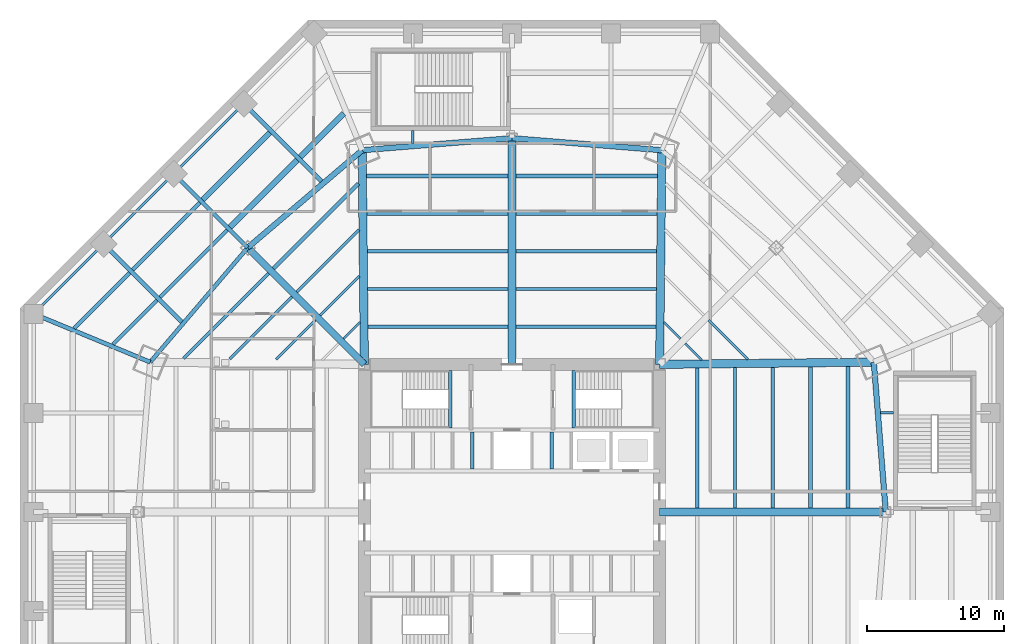
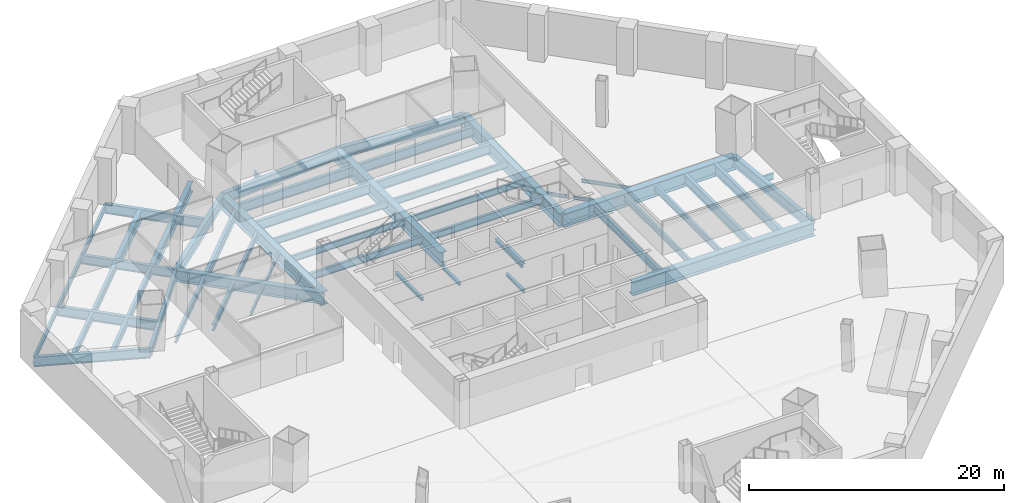
# One storey, part 4 of 15: 57 beams.
"""IFC4 building model written with IfcOpenShell, lengths in metres."""

from ifc_helpers import new_model, si_unit, direction, frame, origin, origin_2d, place, context, subcontext, project, spatial, i_section, extrude, material, material_profile, profile_set, type_object, element, save


model = new_model("IFC4")

# Units and contexts
model_context = context("Model", 3, precision=1e-05, world=origin(), true_north=direction((0.0, 1.0)))
body_context = subcontext(model_context, "Body", "Model", "MODEL_VIEW")
ifc_project = project(units=[si_unit("LENGTHUNIT", "METRE"), si_unit("AREAUNIT", "SQUARE_METRE"), si_unit("VOLUMEUNIT", "CUBIC_METRE"), si_unit("PLANEANGLEUNIT", "RADIAN"), si_unit("MASSUNIT", "GRAM", prefix="KILO")], contexts=[model_context])

# Site, building, storey
site_placement = place(None, origin())
site = spatial("IfcSite", under=ifc_project, at=site_placement, CompositionType="ELEMENT")
building_placement = place(site_placement, origin())
building = spatial("IfcBuilding", under=site, at=building_placement, Name="Mashrafa Tower", CompositionType="ELEMENT")
storey_placement = place(building_placement, frame((0.0, 0.0, -4.5)))
storey = spatial("IfcBuildingStorey", under=building, at=storey_placement, Name="B1", CompositionType="ELEMENT", Elevation=-4.5)

# Beams
ifc_material_1 = material(Name="Steel ASTM A572 Gr 50", Category="steel")
ifc_material_profile_1 = material_profile(ifc_material_1, i_section(OverallWidth=0.5, OverallDepth=1.10009765625, WebThickness=0.02490234375, FlangeThickness=0.050048828125, at=origin_2d()), Name="H1100X500X25X50")
ifc_profile_set_1 = profile_set([ifc_material_profile_1], Name="Steel ASTM A572 Gr 50")
beam_type_1 = type_object("IfcBeamType", Name="Beam H1100X500X25X50", PredefinedType="BEAM", material=ifc_profile_set_1)
beam_1_placement = place(storey_placement, frame((-10.800048828125, 10.800048828125, -0.85009765625), z_axis=(-0.707106781187, 0.707106781187, 0.0), x_axis=(-0.707106781187, -0.707106781187, 0.0)))
element("IfcBeam", 1, at=beam_1_placement, inside=storey, type_object=beam_type_1, Name="Radial girder B1 198", PredefinedType="BEAM", context=body_context, shape_type="SweptSolid", body=[
    extrude(i_section(OverallWidth=0.5, OverallDepth=1.10009765625, WebThickness=0.02490234375, FlangeThickness=0.050048828125, at=origin_2d()), origin(), (0.0, 0.0, 1.0), 12.07666015625),
])
ifc_material_2 = material(Name="Steel ASTM A572 Gr 50", Category="steel")
ifc_material_profile_2 = material_profile(ifc_material_2, i_section(OverallWidth=0.60009765625, OverallDepth=1.300048828125, WebThickness=0.028076171875, FlangeThickness=0.06494140625, at=origin_2d()), Name="H1300X600X28X65")
ifc_profile_set_2 = profile_set([ifc_material_profile_2], Name="Steel ASTM A572 Gr 50")
beam_type_2 = type_object("IfcBeamType", Name="Beam H1300X600X28X65", PredefinedType="BEAM", material=ifc_profile_set_2)
beam_2_placement = place(storey_placement, frame((-10.800048828125, 10.800048828125, -0.949951171875), z_axis=(-0.010529995346, 0.999944558062, 0.0), x_axis=(-0.999944558062, -0.010529995346, 0.0)))
element("IfcBeam", 2, at=beam_2_placement, inside=storey, type_object=beam_type_2, Name="Radial girder B1 199", PredefinedType="BEAM", context=body_context, shape_type="SweptSolid", body=[
    extrude(i_section(OverallWidth=0.60009765625, OverallDepth=1.300048828125, WebThickness=0.028076171875, FlangeThickness=0.06494140625, at=origin_2d()), origin(), (0.0, 0.0, 1.0), 15.67333984375),
])
for number, where, z_axis, x_axis, name in (
    (3, (0.0, 10.800048828125, -0.949951171875), (0.0, 1.0, 0.0), (-1.0, 0.0, 0.0), "Radial girder B1 201"),
    (4, (10.800048828125, 0.0, -0.949951171875), (1.0, 0.0, 0.0), (0.0, 1.0, 0.0), "Radial girder B1 205"),
):
    element("IfcBeam", number, at=place(storey_placement, frame(where, z_axis=z_axis, x_axis=x_axis)), inside=storey, type_object=beam_type_2, Name=name, PredefinedType="BEAM", context=body_context, shape_type="SweptSolid", body=[
        extrude(i_section(OverallWidth=0.60009765625, OverallDepth=1.300048828125, WebThickness=0.028076171875, FlangeThickness=0.06494140625, at=origin_2d()), origin(), (0.0, 0.0, 1.0), 16.550537109375),
    ])
for number, where, z_axis, x_axis, name in (
    (5, (10.800048828125, 10.800048828125, -0.949951171875), (0.010529995346, 0.999944558062, 0.0), (-0.999944558062, 0.010529995346, 0.0), "Radial girder B1 206"),
    (6, (10.800048828125, 10.800048828125, -0.949951171875), (0.999944558062, 0.010529995346, 0.0), (-0.010529995346, 0.999944558062, 0.0), "Radial girder B1 208"),
):
    element("IfcBeam", number, at=place(storey_placement, frame(where, z_axis=z_axis, x_axis=x_axis)), inside=storey, type_object=beam_type_2, Name=name, PredefinedType="BEAM", context=body_context, shape_type="SweptSolid", body=[
        extrude(i_section(OverallWidth=0.60009765625, OverallDepth=1.300048828125, WebThickness=0.028076171875, FlangeThickness=0.06494140625, at=origin_2d()), origin(), (0.0, 0.0, 1.0), 15.67333984375),
    ])
ifc_material_3 = material(Name="Steel ASTM A992", Category="steel")
ifc_material_profile_3 = material_profile(ifc_material_3, i_section(OverallWidth=0.164794921875, OverallDepth=0.309814453125, WebThickness=0.005859375, FlangeThickness=0.009765625, FilletRadius=0.007568359375, at=origin_2d()), Name="W12X26")
ifc_profile_set_3 = profile_set([ifc_material_profile_3], Name="Steel ASTM A992")
beam_type_3 = type_object("IfcBeamType", Name="Beam W12X26", PredefinedType="BEAM", material=ifc_profile_set_3)
for number, where, z_axis, x_axis, name in (
    (7, (-17.263671875, 11.168212890625, -0.454833984375), (0.707136845889, 0.707076715205, 0.0), (-0.707076715205, 0.707136845889, 0.0), "Floor beam B1 021"),
    (8, (-14.0390625, 14.392578125, -0.454833984375), (0.707076715205, 0.707136845889, 0.0), (-0.707136845889, 0.707076715205, 0.0), "Floor beam B1 027"),
):
    element("IfcBeam", number, at=place(storey_placement, frame(where, z_axis=z_axis, x_axis=x_axis)), inside=storey, type_object=beam_type_3, Name=name, PredefinedType="BEAM", context=body_context, shape_type="SweptSolid", body=[
        extrude(i_section(OverallWidth=0.164794921875, OverallDepth=0.309814453125, WebThickness=0.005859375, FlangeThickness=0.009765625, FilletRadius=0.007568359375, at=origin_2d()), origin(), (0.0, 0.0, 1.0), 4.06005859375),
    ])
for number, where, z_axis, x_axis, name in (
    (9, (-12.3310546875, 12.684814453125, -0.454833984375), (0.707106781187, 0.707106781187, 0.0), (-0.707106781187, 0.707106781187, 0.0), "Floor beam B1 034"),
    (10, (11.132568359375, 13.88330078125, -0.454833984375), (0.707106781187, -0.707106781187, 0.0), (0.707106781187, 0.707106781187, 0.0), "Floor beam B1 061"),
    (11, (12.684814453125, 12.3310546875, -0.454833984375), (0.707106781187, -0.707106781187, 0.0), (0.707106781187, 0.707106781187, 0.0), "Floor beam B1 072"),
):
    element("IfcBeam", number, at=place(storey_placement, frame(where, z_axis=z_axis, x_axis=x_axis)), inside=storey, type_object=beam_type_3, Name=name, PredefinedType="BEAM", context=body_context, shape_type="SweptSolid", body=[
        extrude(i_section(OverallWidth=0.164794921875, OverallDepth=0.309814453125, WebThickness=0.005859375, FlangeThickness=0.009765625, FilletRadius=0.007568359375, at=origin_2d()), origin(), (0.0, 0.0, 1.0), 1.69482421875),
    ])
beam_3_placement = place(storey_placement, frame((14.392578125, 14.0390625, -0.454833984375), z_axis=(0.707136845889, -0.707076715205, 0.0), x_axis=(0.707076715205, 0.707136845889, 0.0)))
element("IfcBeam", 12, at=beam_3_placement, inside=storey, type_object=beam_type_3, Name="Floor beam B1 079", PredefinedType="BEAM", context=body_context, shape_type="SweptSolid", body=[
    extrude(i_section(OverallWidth=0.164794921875, OverallDepth=0.309814453125, WebThickness=0.005859375, FlangeThickness=0.009765625, FilletRadius=0.007568359375, at=origin_2d()), origin(), (0.0, 0.0, 1.0), 4.06005859375),
])
ifc_material_4 = material(Name="Steel ASTM A992", Category="steel")
ifc_material_profile_4 = material_profile(ifc_material_4, i_section(OverallWidth=0.177978515625, OverallDepth=0.599365234375, WebThickness=0.010009765625, FlangeThickness=0.012939453125, FilletRadius=0.012939453125, at=origin_2d()), Name="W24X55")
ifc_profile_set_4 = profile_set([ifc_material_profile_4], Name="Steel ASTM A992")
beam_type_4 = type_object("IfcBeamType", Name="Beam W24X55", PredefinedType="BEAM", material=ifc_profile_set_4)
beam_4_placement = place(storey_placement, frame((-29.87451171875, 19.623046875, -0.599609375), z_axis=(-0.707106781187, -0.707106781187, 0.0), x_axis=(0.707106781187, -0.707106781187, 0.0)))
element("IfcBeam", 13, at=beam_4_placement, inside=storey, type_object=beam_type_4, Name="Podium edge beam B1 111", PredefinedType="BEAM", context=body_context, shape_type="SweptSolid", body=[
    extrude(i_section(OverallWidth=0.177978515625, OverallDepth=0.599365234375, WebThickness=0.010009765625, FlangeThickness=0.012939453125, FilletRadius=0.012939453125, at=origin_2d()), origin(), (0.0, 0.0, 1.0), 7.24853515625),
])
for number, where, z_axis, x_axis, name in (
    (14, (-24.748779296875, 24.748779296875, -0.599609375), (-0.707106781187, -0.707106781187, 0.0), (0.707106781187, -0.707106781187, 0.0), "Podium edge beam B1 113"),
    (15, (-19.623046875, 29.87451171875, -0.599609375), (-0.707106781187, -0.707106781187, 0.0), (0.707106781187, -0.707106781187, 0.0), "Podium edge beam B1 115"),
):
    element("IfcBeam", number, at=place(storey_placement, frame(where, z_axis=z_axis, x_axis=x_axis)), inside=storey, type_object=beam_type_4, Name=name, PredefinedType="BEAM", context=body_context, shape_type="SweptSolid", body=[
        extrude(i_section(OverallWidth=0.177978515625, OverallDepth=0.599365234375, WebThickness=0.010009765625, FlangeThickness=0.012939453125, FilletRadius=0.012939453125, at=origin_2d()), origin(), (0.0, 0.0, 1.0), 7.248779296875),
    ])
for number, where, z_axis, x_axis, name in (
    (16, (-7.248779296875, 26.97119140625, -0.599609375), (0.0, 1.0, 0.0), (-1.0, 0.0, 0.0), "Podium radial beam B1 153"),
    (17, (26.97119140625, 7.248779296875, -0.599609375), (1.0, 0.0, 0.0), (0.0, 1.0, 0.0), "Podium radial beam B1 173"),
):
    element("IfcBeam", number, at=place(storey_placement, frame(where, z_axis=z_axis, x_axis=x_axis)), inside=storey, type_object=beam_type_4, Name=name, PredefinedType="BEAM", context=body_context, shape_type="SweptSolid", body=[
        extrude(i_section(OverallWidth=0.177978515625, OverallDepth=0.599365234375, WebThickness=0.010009765625, FlangeThickness=0.012939453125, FilletRadius=0.012939453125, at=origin_2d()), origin(), (0.0, 0.0, 1.0), 0.9287109375),
    ])
ifc_material_5 = material(Name="Steel ASTM A992", Category="steel")
ifc_material_profile_5 = material_profile(ifc_material_5, i_section(OverallWidth=0.227783203125, OverallDepth=0.60205078125, WebThickness=0.010498046875, FlangeThickness=0.014892578125, FilletRadius=0.012939453125, at=origin_2d()), Name="W24X68")
ifc_profile_set_5 = profile_set([ifc_material_profile_5], Name="Steel ASTM A992")
beam_type_5 = type_object("IfcBeamType", Name="Beam W24X68", PredefinedType="BEAM", material=ifc_profile_set_5)
beam_5_placement = place(storey_placement, frame((-24.024169921875, 11.239501953125, -0.60107421875), z_axis=(0.707106781187, 0.707106781187, 0.0), x_axis=(-0.707106781187, 0.707106781187, 0.0)))
element("IfcBeam", 18, at=beam_5_placement, inside=storey, type_object=beam_type_5, Name="Floor beam B1 009", PredefinedType="BEAM", context=body_context, shape_type="SweptSolid", body=[
    extrude(i_section(OverallWidth=0.227783203125, OverallDepth=0.60205078125, WebThickness=0.010498046875, FlangeThickness=0.014892578125, FilletRadius=0.012939453125, at=origin_2d()), origin(), (0.0, 0.0, 1.0), 8.7900390625),
])
ifc_material_6 = material(Name="Steel ASTM A992", Category="steel")
ifc_material_profile_6 = material_profile(ifc_material_6, i_section(OverallWidth=0.228271484375, OverallDepth=0.607177734375, WebThickness=0.01123046875, FlangeThickness=0.017333984375, FilletRadius=0.0126953125, at=origin_2d()), Name="W24X76")
ifc_profile_set_6 = profile_set([ifc_material_profile_6], Name="Steel ASTM A992")
beam_type_6 = type_object("IfcBeamType", Name="Beam W24X76", PredefinedType="BEAM", material=ifc_profile_set_6)
for number, where, z_axis, x_axis, name in (
    (19, (-20.643798828125, 11.203857421875, -0.603515625), (0.707106781187, 0.707106781187, 0.0), (-0.707106781187, 0.707106781187, 0.0), "Floor beam B1 014"),
    (20, (-15.7470703125, 16.1005859375, -0.603515625), (0.707106781187, 0.707106781187, 0.0), (-0.707106781187, 0.707106781187, 0.0), "Floor beam B1 025"),
):
    element("IfcBeam", number, at=place(storey_placement, frame(where, z_axis=z_axis, x_axis=x_axis)), inside=storey, type_object=beam_type_6, Name=name, PredefinedType="BEAM", context=body_context, shape_type="SweptSolid", body=[
        extrude(i_section(OverallWidth=0.228271484375, OverallDepth=0.607177734375, WebThickness=0.01123046875, FlangeThickness=0.017333984375, FilletRadius=0.0126953125, at=origin_2d()), origin(), (0.0, 0.0, 1.0), 6.425048828125),
    ])
beam_6_placement = place(storey_placement, frame((-10.587158203125, 19.0751953125, -0.603515625), z_axis=(1.0, 0.0, 0.0), x_axis=(0.0, 1.0, 0.0)))
element("IfcBeam", 21, at=beam_6_placement, inside=storey, type_object=beam_type_6, Name="Floor beam B1 041", PredefinedType="BEAM", context=body_context, shape_type="SweptSolid", body=[
    extrude(i_section(OverallWidth=0.228271484375, OverallDepth=0.607177734375, WebThickness=0.01123046875, FlangeThickness=0.017333984375, FilletRadius=0.0126953125, at=origin_2d()), origin(), (0.0, 0.0, 1.0), 10.287109375),
])
for number, where, z_axis, x_axis, name in (
    (22, (-10.55810546875, 16.31689453125, -0.603515625), (1.0, 0.0, 0.0), (0.0, 1.0, 0.0), "Floor beam B1 043"),
    (23, (0.300048828125, 16.31689453125, -0.603515625), (1.0, 0.0, 0.0), (0.0, 1.0, 0.0), "Floor beam B1 054"),
):
    element("IfcBeam", number, at=place(storey_placement, frame(where, z_axis=z_axis, x_axis=x_axis)), inside=storey, type_object=beam_type_6, Name=name, PredefinedType="BEAM", context=body_context, shape_type="SweptSolid", body=[
        extrude(i_section(OverallWidth=0.228271484375, OverallDepth=0.607177734375, WebThickness=0.01123046875, FlangeThickness=0.017333984375, FilletRadius=0.0126953125, at=origin_2d()), origin(), (0.0, 0.0, 1.0), 10.258056640625),
    ])
beam_7_placement = place(storey_placement, frame((0.300048828125, 19.0751953125, -0.603515625), z_axis=(1.0, 0.0, 0.0), x_axis=(0.0, 1.0, 0.0)))
element("IfcBeam", 24, at=beam_7_placement, inside=storey, type_object=beam_type_6, Name="Floor beam B1 055", PredefinedType="BEAM", context=body_context, shape_type="SweptSolid", body=[
    extrude(i_section(OverallWidth=0.228271484375, OverallDepth=0.607177734375, WebThickness=0.01123046875, FlangeThickness=0.017333984375, FilletRadius=0.0126953125, at=origin_2d()), origin(), (0.0, 0.0, 1.0), 10.287109375),
])
beam_8_placement = place(storey_placement, frame((16.31689453125, 10.55810546875, -0.603515625), z_axis=(0.0, -1.0, 0.0), x_axis=(1.0, 0.0, 0.0)))
element("IfcBeam", 25, at=beam_8_placement, inside=storey, type_object=beam_type_6, Name="Floor beam B1 083", PredefinedType="BEAM", context=body_context, shape_type="SweptSolid", body=[
    extrude(i_section(OverallWidth=0.228271484375, OverallDepth=0.607177734375, WebThickness=0.01123046875, FlangeThickness=0.017333984375, FilletRadius=0.0126953125, at=origin_2d()), origin(), (0.0, 0.0, 1.0), 10.258056640625),
])
beam_9_placement = place(storey_placement, frame((19.0751953125, 10.587158203125, -0.603515625), z_axis=(0.0, -1.0, 0.0), x_axis=(1.0, 0.0, 0.0)))
element("IfcBeam", 26, at=beam_9_placement, inside=storey, type_object=beam_type_6, Name="Floor beam B1 088", PredefinedType="BEAM", context=body_context, shape_type="SweptSolid", body=[
    extrude(i_section(OverallWidth=0.228271484375, OverallDepth=0.607177734375, WebThickness=0.01123046875, FlangeThickness=0.017333984375, FilletRadius=0.0126953125, at=origin_2d()), origin(), (0.0, 0.0, 1.0), 10.287109375),
])
ifc_material_7 = material(Name="Steel ASTM A992", Category="steel")
ifc_material_profile_7 = material_profile(ifc_material_7, i_section(OverallWidth=0.25390625, OverallDepth=0.683349609375, WebThickness=0.012451171875, FlangeThickness=0.01904296875, FilletRadius=0.01513671875, at=origin_2d()), Name="W27X94")
ifc_profile_set_7 = profile_set([ifc_material_profile_7], Name="Steel ASTM A992")
beam_type_7 = type_object("IfcBeamType", Name="Beam W27X94", PredefinedType="BEAM", material=ifc_profile_set_7)
for number, where, z_axis, x_axis, name in (
    (27, (-10.529052734375, 13.558349609375, -0.6416015625), (1.0, 0.0, 0.0), (0.0, 1.0, 0.0), "Floor beam B1 045"),
    (28, (0.300048828125, 13.558349609375, -0.6416015625), (1.0, 0.0, 0.0), (0.0, 1.0, 0.0), "Floor beam B1 053"),
    (29, (13.558349609375, 10.529052734375, -0.6416015625), (0.0, -1.0, 0.0), (1.0, 0.0, 0.0), "Floor beam B1 076"),
):
    element("IfcBeam", number, at=place(storey_placement, frame(where, z_axis=z_axis, x_axis=x_axis)), inside=storey, type_object=beam_type_7, Name=name, PredefinedType="BEAM", context=body_context, shape_type="SweptSolid", body=[
        extrude(i_section(OverallWidth=0.25390625, OverallDepth=0.683349609375, WebThickness=0.012451171875, FlangeThickness=0.01904296875, FilletRadius=0.01513671875, at=origin_2d()), origin(), (0.0, 0.0, 1.0), 10.22900390625),
    ])
ifc_material_8 = material(Name="Steel ASTM A992", Category="steel")
ifc_material_profile_8 = material_profile(ifc_material_8, i_section(OverallWidth=0.2666015625, OverallDepth=0.75439453125, WebThickness=0.01318359375, FlangeThickness=0.01708984375, FilletRadius=0.0166015625, at=origin_2d()), Name="W30X99")
ifc_profile_set_8 = profile_set([ifc_material_profile_8], Name="Steel ASTM A992")
beam_type_8 = type_object("IfcBeamType", Name="Beam W30X99", PredefinedType="BEAM", material=ifc_profile_set_8)
beam_10_placement = place(storey_placement, frame((-32.039794921875, 13.437744140625, -0.67724609375), z_axis=(0.707106781187, 0.707106781187, 0.0), x_axis=(-0.707106781187, 0.707106781187, 0.0)))
element("IfcBeam", 30, at=beam_10_placement, inside=storey, type_object=beam_type_8, Name="Floor beam B1 003 part 1", PredefinedType="BEAM", context=body_context, shape_type="SweptSolid", body=[
    extrude(i_section(OverallWidth=0.2666015625, OverallDepth=0.75439453125, WebThickness=0.01318359375, FlangeThickness=0.01708984375, FilletRadius=0.0166015625, at=origin_2d()), origin(), (0.0, 0.0, 1.0), 5.751220703125),
])
beam_11_placement = place(storey_placement, frame((-27.755615234375, 17.7216796875, -0.67724609375), z_axis=(0.707089214407, 0.707124347529, 0.0), x_axis=(-0.707124347529, 0.707089214407, 0.0)))
element("IfcBeam", 31, at=beam_11_placement, inside=storey, type_object=beam_type_8, Name="Floor beam B1 003 part 2", PredefinedType="BEAM", context=body_context, shape_type="SweptSolid", body=[
    extrude(i_section(OverallWidth=0.2666015625, OverallDepth=0.75439453125, WebThickness=0.01318359375, FlangeThickness=0.01708984375, FilletRadius=0.0166015625, at=origin_2d()), origin(), (0.0, 0.0, 1.0), 6.948974609375),
])
beam_12_placement = place(storey_placement, frame((-29.197265625, 12.26025390625, -0.67724609375), z_axis=(0.707106781187, 0.707106781187, 0.0), x_axis=(-0.707106781187, 0.707106781187, 0.0)))
element("IfcBeam", 32, at=beam_12_placement, inside=storey, type_object=beam_type_8, Name="Floor beam B1 006 part 1", PredefinedType="BEAM", context=body_context, shape_type="SweptSolid", body=[
    extrude(i_section(OverallWidth=0.2666015625, OverallDepth=0.75439453125, WebThickness=0.01318359375, FlangeThickness=0.01708984375, FilletRadius=0.0166015625, at=origin_2d()), origin(), (0.0, 0.0, 1.0), 4.57373046875),
])
beam_13_placement = place(storey_placement, frame((-25.74560546875, 15.7119140625, -0.67724609375), z_axis=(0.707106781187, 0.707106781187, 0.0), x_axis=(-0.707106781187, 0.707106781187, 0.0)))
element("IfcBeam", 33, at=beam_13_placement, inside=storey, type_object=beam_type_8, Name="Floor beam B1 006 part 2", PredefinedType="BEAM", context=body_context, shape_type="SweptSolid", body=[
    extrude(i_section(OverallWidth=0.2666015625, OverallDepth=0.75439453125, WebThickness=0.01318359375, FlangeThickness=0.01708984375, FilletRadius=0.0166015625, at=origin_2d()), origin(), (0.0, 0.0, 1.0), 6.94873046875),
])
ifc_material_9 = material(Name="Steel ASTM A992", Category="steel")
ifc_material_profile_9 = material_profile(ifc_material_9, i_section(OverallWidth=0.2919921875, OverallDepth=0.8408203125, WebThickness=0.0146484375, FlangeThickness=0.021728515625, FilletRadius=0.017333984375, at=origin_2d()), Name="W33X130")
ifc_profile_set_9 = profile_set([ifc_material_profile_9], Name="Steel ASTM A992")
beam_type_9 = type_object("IfcBeamType", Name="Beam W33X130", PredefinedType="BEAM", material=ifc_profile_set_9)
beam_14_placement = place(storey_placement, frame((-19.339599609375, 19.339599609375, -0.720458984375), z_axis=(-0.648412151633, -0.76128948608, 0.0), x_axis=(0.76128948608, -0.648412151633, 0.0)))
element("IfcBeam", 34, at=beam_14_placement, inside=storey, type_object=beam_type_9, Name="Podium ring girder B1 181", PredefinedType="BEAM", context=body_context, shape_type="SweptSolid", body=[
    extrude(i_section(OverallWidth=0.2919921875, OverallDepth=0.8408203125, WebThickness=0.0146484375, FlangeThickness=0.021728515625, FilletRadius=0.017333984375, at=origin_2d()), origin(), (0.0, 0.0, 1.0), 11.00048828125),
])
ifc_material_10 = material(Name="Steel ASTM A992", Category="steel")
ifc_material_profile_10 = material_profile(ifc_material_10, i_section(OverallWidth=0.2919921875, OverallDepth=0.845703125, WebThickness=0.015380859375, FlangeThickness=0.0244140625, FilletRadius=0.017333984375, at=origin_2d()), Name="W33X141")
ifc_profile_set_10 = profile_set([ifc_material_profile_10], Name="Steel ASTM A992")
beam_type_10 = type_object("IfcBeamType", Name="Beam W33X141", PredefinedType="BEAM", material=ifc_profile_set_10)
beam_15_placement = place(storey_placement, frame((-17.455078125, 17.80859375, -0.722900390625), z_axis=(0.707106781187, 0.707106781187, 0.0), x_axis=(-0.707106781187, 0.707106781187, 0.0)))
element("IfcBeam", 35, at=beam_15_placement, inside=storey, type_object=beam_type_10, Name="Floor beam B1 020", PredefinedType="BEAM", context=body_context, shape_type="SweptSolid", body=[
    extrude(i_section(OverallWidth=0.2919921875, OverallDepth=0.845703125, WebThickness=0.015380859375, FlangeThickness=0.0244140625, FilletRadius=0.017333984375, at=origin_2d()), origin(), (0.0, 0.0, 1.0), 8.7900390625),
])
ifc_material_11 = material(Name="Steel ASTM A992", Category="steel")
ifc_material_profile_11 = material_profile(ifc_material_11, i_section(OverallWidth=0.2919921875, OverallDepth=0.8583984375, WebThickness=0.01708984375, FlangeThickness=0.031005859375, FilletRadius=0.017822265625, at=origin_2d()), Name="W33X169")
ifc_profile_set_11 = profile_set([ifc_material_profile_11], Name="Steel ASTM A992")
beam_type_11 = type_object("IfcBeamType", Name="Beam W33X169", PredefinedType="BEAM", material=ifc_profile_set_11)
beam_16_placement = place(storey_placement, frame((-19.339599609375, 19.339599609375, -0.729248046875), z_axis=(-0.707106781187, 0.707106781187, 0.0), x_axis=(-0.707106781187, -0.707106781187, 0.0)))
element("IfcBeam", 36, at=beam_16_placement, inside=storey, type_object=beam_type_11, Name="Podium radial beam B1 147", PredefinedType="BEAM", context=body_context, shape_type="SweptSolid", body=[
    extrude(i_section(OverallWidth=0.2919921875, OverallDepth=0.8583984375, WebThickness=0.01708984375, FlangeThickness=0.031005859375, FilletRadius=0.017822265625, at=origin_2d()), origin(), (0.0, 0.0, 1.0), 7.649658203125),
])
ifc_material_12 = material(Name="Steel ASTM A992", Category="steel")
ifc_material_profile_12 = material_profile(ifc_material_12, i_section(OverallWidth=0.3046875, OverallDepth=0.911865234375, WebThickness=0.015869140625, FlangeThickness=0.02392578125, FilletRadius=0.01904296875, at=origin_2d()), Name="W36X150")
ifc_profile_set_12 = profile_set([ifc_material_profile_12], Name="Steel ASTM A992")
beam_type_12 = type_object("IfcBeamType", Name="Beam W36X150", PredefinedType="BEAM", material=ifc_profile_set_12)
for number, where, z_axis, x_axis, name in (
    (37, (-10.6162109375, 21.833740234375, -0.755859375), (1.0, 0.0, 0.0), (0.0, 1.0, 0.0), "Floor beam B1 039"),
    (38, (0.300048828125, 21.833740234375, -0.755859375), (1.0, 0.0, 0.0), (0.0, 1.0, 0.0), "Floor beam B1 056"),
    (39, (21.833740234375, 10.6162109375, -0.755859375), (0.0, -1.0, 0.0), (1.0, 0.0, 0.0), "Floor beam B1 093"),
):
    element("IfcBeam", number, at=place(storey_placement, frame(where, z_axis=z_axis, x_axis=x_axis)), inside=storey, type_object=beam_type_12, Name=name, PredefinedType="BEAM", context=body_context, shape_type="SweptSolid", body=[
        extrude(i_section(OverallWidth=0.3046875, OverallDepth=0.911865234375, WebThickness=0.015869140625, FlangeThickness=0.02392578125, FilletRadius=0.01904296875, at=origin_2d()), origin(), (0.0, 0.0, 1.0), 10.316162109375),
    ])
ifc_material_13 = material(Name="Steel ASTM A992", Category="steel")
ifc_material_profile_13 = material_profile(ifc_material_13, i_section(OverallWidth=0.307373046875, OverallDepth=0.927001953125, WebThickness=0.01953125, FlangeThickness=0.031982421875, FilletRadius=0.01904296875, at=origin_2d()), Name="W36X194")
ifc_profile_set_13 = profile_set([ifc_material_profile_13], Name="Steel ASTM A992")
beam_type_13 = type_object("IfcBeamType", Name="Beam W36X194", PredefinedType="BEAM", material=ifc_profile_set_13)
for number, where, z_axis, x_axis, name in (
    (40, (-10.6455078125, 24.592041015625, -0.763671875), (1.0, 0.0, 0.0), (0.0, 1.0, 0.0), "Floor beam B1 037"),
    (41, (0.300048828125, 24.592041015625, -0.763671875), (1.0, 0.0, 0.0), (0.0, 1.0, 0.0), "Floor beam B1 057"),
    (42, (24.592041015625, 10.6455078125, -0.763671875), (0.0, -1.0, 0.0), (1.0, 0.0, 0.0), "Floor beam B1 098"),
):
    element("IfcBeam", number, at=place(storey_placement, frame(where, z_axis=z_axis, x_axis=x_axis)), inside=storey, type_object=beam_type_13, Name=name, PredefinedType="BEAM", context=body_context, shape_type="SweptSolid", body=[
        extrude(i_section(OverallWidth=0.307373046875, OverallDepth=0.927001953125, WebThickness=0.01953125, FlangeThickness=0.031982421875, FilletRadius=0.01904296875, at=origin_2d()), origin(), (0.0, 0.0, 1.0), 10.345458984375),
    ])
beam_17_placement = place(storey_placement, frame((-26.472412109375, 10.965087890625, -0.763671875), z_axis=(-0.923870793506, 0.382704529509, 0.0), x_axis=(-0.382704529509, -0.923870793506, 0.0)))
element("IfcBeam", 43, at=beam_17_placement, inside=storey, type_object=beam_type_13, Name="Podium radial beam B1 143", PredefinedType="BEAM", context=body_context, shape_type="SweptSolid", body=[
    extrude(i_section(OverallWidth=0.307373046875, OverallDepth=0.927001953125, WebThickness=0.01953125, FlangeThickness=0.031982421875, FilletRadius=0.01904296875, at=origin_2d()), origin(), (0.0, 0.0, 1.0), 9.230224609375),
])
beam_18_placement = place(storey_placement, frame((-24.158447265625, 13.9072265625, -0.763671875), z_axis=(-0.707121882078, 0.707091679973, 0.0), x_axis=(-0.707091679973, -0.707121882078, 0.0)))
element("IfcBeam", 44, at=beam_18_placement, inside=storey, type_object=beam_type_13, Name="Podium radial beam B1 145", PredefinedType="BEAM", context=body_context, shape_type="SweptSolid", body=[
    extrude(i_section(OverallWidth=0.307373046875, OverallDepth=0.927001953125, WebThickness=0.01953125, FlangeThickness=0.031982421875, FilletRadius=0.01904296875, at=origin_2d()), origin(), (0.0, 0.0, 1.0), 8.08349609375),
])
beam_19_placement = place(storey_placement, frame((-13.94580078125, 24.197265625, -0.763671875), z_axis=(-0.707106781187, 0.707106781187, 0.0), x_axis=(-0.707106781187, -0.707106781187, 0.0)))
element("IfcBeam", 45, at=beam_19_placement, inside=storey, type_object=beam_type_13, Name="Podium radial beam B1 149", PredefinedType="BEAM", context=body_context, shape_type="SweptSolid", body=[
    extrude(i_section(OverallWidth=0.307373046875, OverallDepth=0.927001953125, WebThickness=0.01953125, FlangeThickness=0.031982421875, FilletRadius=0.01904296875, at=origin_2d()), origin(), (0.0, 0.0, 1.0), 8.02880859375),
])
ifc_material_14 = material(Name="Steel ASTM A992", Category="steel")
ifc_material_profile_14 = material_profile(ifc_material_14, i_section(OverallWidth=0.419189453125, OverallDepth=0.927001953125, WebThickness=0.019287109375, FlangeThickness=0.031982421875, FilletRadius=0.020263671875, at=origin_2d()), Name="W36X231")
ifc_profile_set_14 = profile_set([ifc_material_profile_14], Name="Steel ASTM A992")
beam_type_14 = type_object("IfcBeamType", Name="Beam W36X231", PredefinedType="BEAM", material=ifc_profile_set_14)
beam_20_placement = place(storey_placement, frame((-20.62548828125, 20.83203125, -0.763671875), z_axis=(0.707106781187, 0.707106781187, 0.0), x_axis=(-0.707106781187, 0.707106781187, 0.0)))
element("IfcBeam", 46, at=beam_20_placement, inside=storey, type_object=beam_type_14, Name="Floor beam B1 016 part 1", PredefinedType="BEAM", context=body_context, shape_type="SweptSolid", body=[
    extrude(i_section(OverallWidth=0.419189453125, OverallDepth=0.927001953125, WebThickness=0.019287109375, FlangeThickness=0.031982421875, FilletRadius=0.020263671875, at=origin_2d()), origin(), (0.0, 0.0, 1.0), 6.94873046875),
])
beam_21_placement = place(storey_placement, frame((-15.494384765625, 25.963134765625, -0.763671875), z_axis=(0.707106781187, 0.707106781187, 0.0), x_axis=(-0.707106781187, 0.707106781187, 0.0)))
element("IfcBeam", 47, at=beam_21_placement, inside=storey, type_object=beam_type_14, Name="Floor beam B1 016 part 2", PredefinedType="BEAM", context=body_context, shape_type="SweptSolid", body=[
    extrude(i_section(OverallWidth=0.419189453125, OverallDepth=0.927001953125, WebThickness=0.019287109375, FlangeThickness=0.031982421875, FilletRadius=0.020263671875, at=origin_2d()), origin(), (0.0, 0.0, 1.0), 4.518798828125),
])
ifc_material_15 = material(Name="Steel ASTM A992", Category="steel")
ifc_material_profile_15 = material_profile(ifc_material_15, i_section(OverallWidth=0.4013671875, OverallDepth=0.98291015625, WebThickness=0.0166015625, FlangeThickness=0.027099609375, FilletRadius=0.0126953125, at=origin_2d()), Name="W40X199")
ifc_profile_set_15 = profile_set([ifc_material_profile_15], Name="Steel ASTM A992")
beam_type_15 = type_object("IfcBeamType", Name="Beam W40X199", PredefinedType="BEAM", material=ifc_profile_set_15)
beam_22_placement = place(storey_placement, frame((-22.635498046875, 22.842041015625, -0.79150390625), z_axis=(0.707124347529, 0.707089214407, 0.0), x_axis=(-0.707089214407, 0.707124347529, 0.0)))
element("IfcBeam", 48, at=beam_22_placement, inside=storey, type_object=beam_type_15, Name="Floor beam B1 011 part 1", PredefinedType="BEAM", context=body_context, shape_type="SweptSolid", body=[
    extrude(i_section(OverallWidth=0.4013671875, OverallDepth=0.98291015625, WebThickness=0.0166015625, FlangeThickness=0.027099609375, FilletRadius=0.0126953125, at=origin_2d()), origin(), (0.0, 0.0, 1.0), 6.948974609375),
])
ifc_material_16 = material(Name="Steel ASTM A992", Category="steel")
ifc_material_profile_16 = material_profile(ifc_material_16, i_section(OverallWidth=0.4013671875, OverallDepth=1.010986328125, WebThickness=0.023681640625, FlangeThickness=0.0419921875, FilletRadius=0.02001953125, at=origin_2d()), Name="W40X297")
ifc_profile_set_16 = profile_set([ifc_material_profile_16], Name="Steel ASTM A992")
beam_type_16 = type_object("IfcBeamType", Name="Beam W40X297", PredefinedType="BEAM", material=ifc_profile_set_16)
beam_23_placement = place(storey_placement, frame((-10.965087890625, 26.472412109375, -0.805419921875), z_axis=(-0.76128948608, -0.648412151633, 0.0), x_axis=(0.648412151633, -0.76128948608, 0.0)))
element("IfcBeam", 49, at=beam_23_placement, inside=storey, type_object=beam_type_16, Name="Podium ring girder B1 183", PredefinedType="BEAM", context=body_context, shape_type="SweptSolid", body=[
    extrude(i_section(OverallWidth=0.4013671875, OverallDepth=1.010986328125, WebThickness=0.023681640625, FlangeThickness=0.0419921875, FilletRadius=0.02001953125, at=origin_2d()), origin(), (0.0, 0.0, 1.0), 11.00048828125),
])
for number, where, z_axis, x_axis, name in (
    (50, (0.0, 27.3505859375, -0.805419921875), (-0.9968082883, -0.079832552112, 0.0), (0.079832552112, -0.9968082883, 0.0), "Podium ring girder B1 185"),
    (51, (10.965087890625, 26.472412109375, -0.805419921875), (-0.9968082883, 0.079832552112, 0.0), (-0.079832552112, -0.9968082883, 0.0), "Podium ring girder B1 187"),
    (52, (27.3505859375, 0.0, -0.805419921875), (-0.079832552112, 0.9968082883, 0.0), (-0.9968082883, -0.079832552112, 0.0), "Podium ring girder B1 192"),
):
    element("IfcBeam", number, at=place(storey_placement, frame(where, z_axis=z_axis, x_axis=x_axis)), inside=storey, type_object=beam_type_16, Name=name, PredefinedType="BEAM", context=body_context, shape_type="SweptSolid", body=[
        extrude(i_section(OverallWidth=0.4013671875, OverallDepth=1.010986328125, WebThickness=0.023681640625, FlangeThickness=0.0419921875, FilletRadius=0.02001953125, at=origin_2d()), origin(), (0.0, 0.0, 1.0), 11.000244140625),
    ])
ifc_material_17 = material(Name="Steel ASTM A992", Category="steel")
ifc_material_profile_17 = material_profile(ifc_material_17, i_section(OverallWidth=0.25390625, OverallDepth=0.25390625, WebThickness=0.008544921875, FlangeThickness=0.01416015625, FilletRadius=0.010009765625, at=origin_2d()), Name="W10X49")
ifc_profile_set_17 = profile_set([ifc_material_profile_17], Name="Steel ASTM A992")
beam_type_17 = type_object("IfcBeamType", Name="Hoistway beam W10X49", PredefinedType="BEAM", material=ifc_profile_set_17)
for number, where, z_axis, x_axis, name in (
    (53, (2.89990234375, 3.14990234375, -0.427001953125), (0.0, 1.0, 0.0), (-1.0, 0.0, 0.0), "Hoistway beam B1 08"),
    (54, (-2.89990234375, 3.14990234375, 2.27294921875), (0.0, 1.0, 0.0), (-1.0, 0.0, 0.0), "Hoistway beam under lift pit A3"),
    (55, (2.89990234375, 3.14990234375, 2.27294921875), (0.0, 1.0, 0.0), (-1.0, 0.0, 0.0), "Hoistway beam under lift pit A4"),
):
    element("IfcBeam", number, at=place(storey_placement, frame(where, z_axis=z_axis, x_axis=x_axis)), inside=storey, type_object=beam_type_17, Name=name, PredefinedType="BEAM", context=body_context, shape_type="SweptSolid", body=[
        extrude(i_section(OverallWidth=0.25390625, OverallDepth=0.25390625, WebThickness=0.008544921875, FlangeThickness=0.01416015625, FilletRadius=0.010009765625, at=origin_2d()), origin(), (0.0, 0.0, 1.0), 2.7001953125),
    ])
for number, where, z_axis, x_axis, name in (
    (56, (-4.530029296875, 6.14990234375, -0.427001953125), (0.0, 1.0, 0.0), (-1.0, 0.0, 0.0), "Stair S1 landing beam B1"),
    (57, (4.530029296875, 6.14990234375, -0.427001953125), (0.0, 1.0, 0.0), (-1.0, 0.0, 0.0), "Stair S2 landing beam B1"),
):
    element("IfcBeam", number, at=place(storey_placement, frame(where, z_axis=z_axis, x_axis=x_axis)), inside=storey, type_object=beam_type_17, Name=name, PredefinedType="BEAM", context=body_context, shape_type="SweptSolid", body=[
        extrude(i_section(OverallWidth=0.25390625, OverallDepth=0.25390625, WebThickness=0.008544921875, FlangeThickness=0.01416015625, FilletRadius=0.010009765625, at=origin_2d()), origin(), (0.0, 0.0, 1.0), 4.2001953125),
    ])

save(model, "model.ifc")
